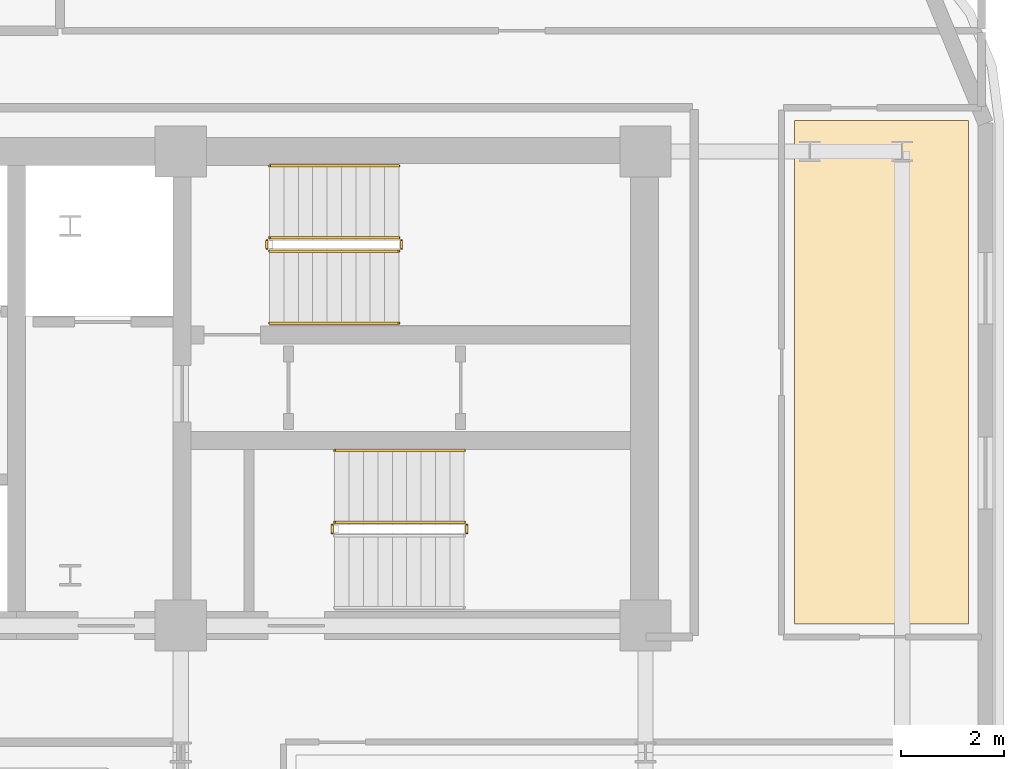
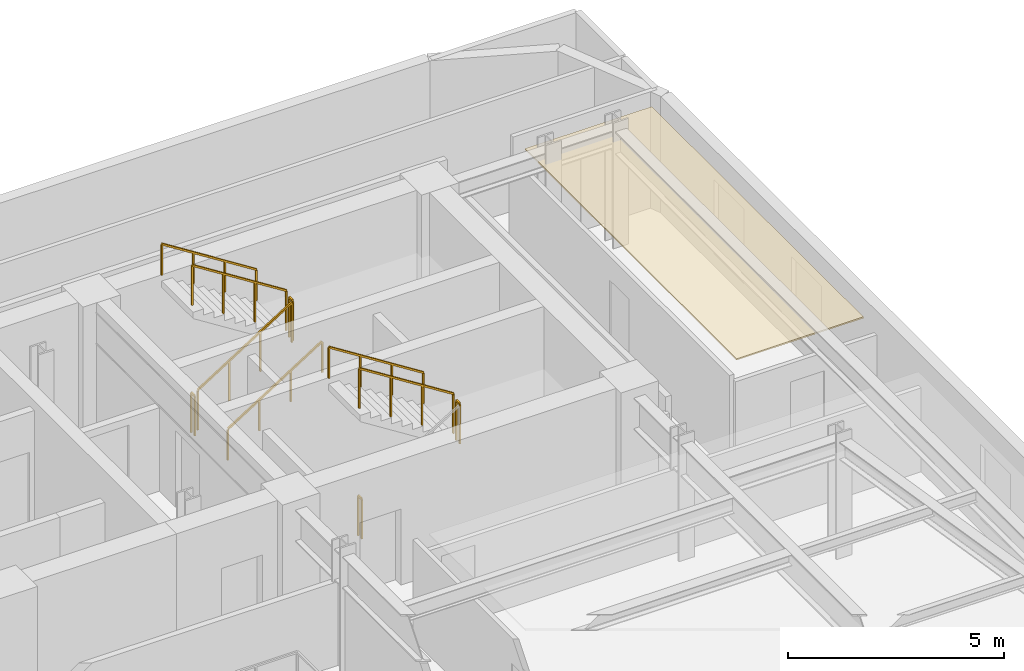
# One storey, part 13 of 13: 10 railings, 1 covering.
"""IFC4 building model written with IfcOpenShell, lengths in metres."""

from ifc_helpers import new_model, si_unit, direction, frame, origin, origin_2d, place, context, subcontext, project, spatial, polyline, rectangle, outline, extrude, material, layer, layer_set, type_object, element, save


model = new_model("IFC4")

# Units and contexts
model_context = context("Model", 3, precision=1e-05, world=origin(), true_north=direction((0.0, 1.0)))
body_context = subcontext(model_context, "Body", "Model", "MODEL_VIEW")
ifc_project = project(units=[si_unit("LENGTHUNIT", "METRE"), si_unit("AREAUNIT", "SQUARE_METRE"), si_unit("VOLUMEUNIT", "CUBIC_METRE"), si_unit("PLANEANGLEUNIT", "RADIAN"), si_unit("MASSUNIT", "GRAM", prefix="KILO")], contexts=[model_context])

# Site, building, storey
site_placement = place(None, origin())
site = spatial("IfcSite", under=ifc_project, at=site_placement, CompositionType="ELEMENT")
building_placement = place(site_placement, origin())
building = spatial("IfcBuilding", under=site, at=building_placement, Name="Zarnavel Station Tower", CompositionType="ELEMENT")
storey_placement = place(building_placement, frame((0.0, 0.0, 180.300048828125)))
storey = spatial("IfcBuildingStorey", under=building, at=storey_placement, Name="L49", CompositionType="ELEMENT", Elevation=180.300048828125)

# Covering
ifc_material_1 = material(Name="Perforated Gypsum and Mineral-Wool Acoustic Ceiling", Category="concrete")
ifc_layer = layer(ifc_material_1, 0.0400390625)
ifc_layer_set = layer_set([ifc_layer], Name="COV_CEIL_ACOUSTIC")
covering_type = type_object("IfcCoveringType", Name="COV_CEIL_ACOUSTIC", PredefinedType="CEILING", material=ifc_layer_set)
covering_placement = place(storey_placement, frame((0.0, 0.0, 2.969970703125)))
element("IfcCovering", 1, at=covering_placement, inside=storey, type_object=covering_type, Name="L49 FNE Acoustic Ceiling", PredefinedType="CEILING", context=body_context, shape_type="SweptSolid", body=[
    extrude(outline(polyline([(48.300048828125, 27.85009765625), (51.68994140625, 27.85009765625), (51.68994140625, 37.64990234375), (48.300048828125, 37.64990234375), (48.300048828125, 27.85009765625)])), origin(), (0.0, 0.0, 1.0), 0.0400390625),
])

# Railings
ifc_material_2 = material(Name="Painted Steel S355J2 Balustrade", Category="steel")
railing_type_1 = type_object("IfcRailingType", Name="GR_INT_1150", PredefinedType="GUARDRAIL", material=ifc_material_2)
railing_1_placement = place(storey_placement, frame((38.080078125, 35.110107421875, 0.177490234375)))
element("IfcRailing", 2, at=railing_1_placement, inside=storey, type_object=railing_type_1, Name="L49 ST2 stair guard 1", PredefinedType="GUARDRAIL", context=body_context, shape_type="SweptSolid", body=[
    extrude(rectangle(XDim=0.048095703125, YDim=0.048095703125, at=origin_2d()), frame((0.001708984375, 0.0, 1.126953125), z_axis=(0.84460694969, 0.0, 0.535386869969), x_axis=(0.0, 1.0, 0.0)), (0.0, 0.0, 1.0), 2.979736328125),
    extrude(rectangle(XDim=0.0419921875, YDim=0.0419921875, at=origin_2d()), origin(), (0.0, 0.0, 1.0), 1.101806640625),
    extrude(rectangle(XDim=0.0419921875, YDim=0.0419921875, at=origin_2d()), frame((0.840087890625, 0.0, 0.532470703125)), (0.0, 0.0, 1.0), 1.101806640625),
    extrude(rectangle(XDim=0.0419921875, YDim=0.0419921875, at=origin_2d()), frame((1.679931640625, 0.0, 1.06494140625)), (0.0, 0.0, 1.0), 1.101806640625),
    extrude(rectangle(XDim=0.0419921875, YDim=0.0419921875, at=origin_2d()), frame((2.52001953125, 0.0, 1.597412109375)), (0.0, 0.0, 1.0), 1.101806640625),
])
railing_2_placement = place(storey_placement, frame((40.64990234375, 35.159912109375, 1.77490234375)))
element("IfcRailing", 3, at=railing_2_placement, inside=storey, type_object=railing_type_1, Name="L49 ST2 stair guard 2", PredefinedType="GUARDRAIL", context=body_context, shape_type="SweptSolid", body=[
    extrude(rectangle(XDim=0.048095703125, YDim=0.048095703125, at=origin_2d()), frame((0.0, 0.001953125, 1.1259765625), z_axis=(0.0, 1.0, 0.0), x_axis=(-1.0, 0.0, 0.0)), (0.0, 0.0, 1.0), 0.15625),
    extrude(rectangle(XDim=0.0419921875, YDim=0.0419921875, at=origin_2d()), origin(), (0.0, 0.0, 1.0), 1.101806640625),
    extrude(rectangle(XDim=0.0419921875, YDim=0.0419921875, at=origin_2d()), frame((0.0, 0.16015625, 0.0)), (0.0, 0.0, 1.0), 1.101806640625),
])
railing_3_placement = place(storey_placement, frame((40.60009765625, 35.3701171875, 1.952392578125)))
element("IfcRailing", 4, at=railing_3_placement, inside=storey, type_object=railing_type_1, Name="L49 ST2 stair guard 3", PredefinedType="GUARDRAIL", context=body_context, shape_type="SweptSolid", body=[
    extrude(rectangle(XDim=0.048095703125, YDim=0.048095703125, at=origin_2d()), frame((-0.001708984375, 0.0, 1.126953125), z_axis=(-0.84456994832, 0.0, 0.535445237532), x_axis=(0.0, -1.0, 0.0)), (0.0, 0.0, 1.0), 2.979736328125),
    extrude(rectangle(XDim=0.0419921875, YDim=0.0419921875, at=origin_2d()), origin(), (0.0, 0.0, 1.0), 1.101806640625),
    extrude(rectangle(XDim=0.0419921875, YDim=0.0419921875, at=origin_2d()), frame((-0.840087890625, 0.0, 0.532470703125)), (0.0, 0.0, 1.0), 1.101806640625),
    extrude(rectangle(XDim=0.0419921875, YDim=0.0419921875, at=origin_2d()), frame((-1.679931640625, 0.0, 1.065185546875)), (0.0, 0.0, 1.0), 1.101806640625),
    extrude(rectangle(XDim=0.0419921875, YDim=0.0419921875, at=origin_2d()), frame((-2.52001953125, 0.0, 1.59765625)), (0.0, 0.0, 1.0), 1.101806640625),
])
railing_4_placement = place(storey_placement, frame((38.030029296875, 35.159912109375, 0.0)))
element("IfcRailing", 5, at=railing_4_placement, inside=storey, type_object=railing_type_1, Name="L49 ST2 stair guard 4", PredefinedType="GUARDRAIL", context=body_context, shape_type="SweptSolid", body=[
    extrude(rectangle(XDim=0.048095703125, YDim=0.048095703125, at=origin_2d()), frame((0.0, 0.001953125, 1.1259765625), z_axis=(0.0, 1.0, 0.0), x_axis=(-1.0, 0.0, 0.0)), (0.0, 0.0, 1.0), 0.15625),
    extrude(rectangle(XDim=0.0419921875, YDim=0.0419921875, at=origin_2d()), origin(), (0.0, 0.0, 1.0), 1.101806640625),
    extrude(rectangle(XDim=0.0419921875, YDim=0.0419921875, at=origin_2d()), frame((0.0, 0.16015625, 0.0)), (0.0, 0.0, 1.0), 1.101806640625),
])
railing_5_placement = place(storey_placement, frame((41.919921875, 29.6201171875, 1.77490234375)))
element("IfcRailing", 6, at=railing_5_placement, inside=storey, type_object=railing_type_1, Name="L49 ST3 stair guard 2", PredefinedType="GUARDRAIL", context=body_context, shape_type="SweptSolid", body=[
    extrude(rectangle(XDim=0.048095703125, YDim=0.048095703125, at=origin_2d()), frame((0.0, 0.001953125, 1.1259765625), z_axis=(0.0, 1.0, 0.0), x_axis=(-1.0, 0.0, 0.0)), (0.0, 0.0, 1.0), 0.156005859375),
    extrude(rectangle(XDim=0.0419921875, YDim=0.0419921875, at=origin_2d()), origin(), (0.0, 0.0, 1.0), 1.101806640625),
    extrude(rectangle(XDim=0.0419921875, YDim=0.0419921875, at=origin_2d()), frame((0.0, 0.159912109375, 0.0)), (0.0, 0.0, 1.0), 1.101806640625),
])
railing_6_placement = place(storey_placement, frame((41.8701171875, 29.830078125, 1.952392578125)))
element("IfcRailing", 7, at=railing_6_placement, inside=storey, type_object=railing_type_1, Name="L49 ST3 stair guard 3", PredefinedType="GUARDRAIL", context=body_context, shape_type="SweptSolid", body=[
    extrude(rectangle(XDim=0.048095703125, YDim=0.048095703125, at=origin_2d()), frame((-0.001708984375, 0.0, 1.126953125), z_axis=(-0.84456994832, 0.0, 0.535445237532), x_axis=(0.0, -1.0, 0.0)), (0.0, 0.0, 1.0), 2.979736328125),
    extrude(rectangle(XDim=0.0419921875, YDim=0.0419921875, at=origin_2d()), origin(), (0.0, 0.0, 1.0), 1.101806640625),
    extrude(rectangle(XDim=0.0419921875, YDim=0.0419921875, at=origin_2d()), frame((-0.840087890625, 0.0, 0.532470703125)), (0.0, 0.0, 1.0), 1.101806640625),
    extrude(rectangle(XDim=0.0419921875, YDim=0.0419921875, at=origin_2d()), frame((-1.679931640625, 0.0, 1.065185546875)), (0.0, 0.0, 1.0), 1.101806640625),
    extrude(rectangle(XDim=0.0419921875, YDim=0.0419921875, at=origin_2d()), frame((-2.52001953125, 0.0, 1.59765625)), (0.0, 0.0, 1.0), 1.101806640625),
])
railing_7_placement = place(storey_placement, frame((39.300048828125, 29.6201171875, 0.0)))
element("IfcRailing", 8, at=railing_7_placement, inside=storey, type_object=railing_type_1, Name="L49 ST3 stair guard 4", PredefinedType="GUARDRAIL", context=body_context, shape_type="SweptSolid", body=[
    extrude(rectangle(XDim=0.048095703125, YDim=0.048095703125, at=origin_2d()), frame((0.0, 0.001953125, 1.1259765625), z_axis=(0.0, 1.0, 0.0), x_axis=(-1.0, 0.0, 0.0)), (0.0, 0.0, 1.0), 0.156005859375),
    extrude(rectangle(XDim=0.0419921875, YDim=0.0419921875, at=origin_2d()), origin(), (0.0, 0.0, 1.0), 1.101806640625),
    extrude(rectangle(XDim=0.0419921875, YDim=0.0419921875, at=origin_2d()), frame((0.0, 0.159912109375, 0.0)), (0.0, 0.0, 1.0), 1.101806640625),
])
ifc_material_3 = material(Name="Brushed Stainless Steel S355J2 Handrail", Category="steel")
railing_type_2 = type_object("IfcRailingType", Name="HR_STAIR_900", PredefinedType="HANDRAIL", material=ifc_material_3)
railing_8_placement = place(storey_placement, frame((38.080078125, 33.7099609375, 0.177490234375)))
element("IfcRailing", 9, at=railing_8_placement, inside=storey, type_object=railing_type_2, Name="L49 ST2 stair handrail 1", PredefinedType="HANDRAIL", context=body_context, shape_type="SweptSolid", body=[
    extrude(rectangle(XDim=0.048095703125, YDim=0.048095703125, at=origin_2d()), frame((0.001708984375, 0.0, 0.876953125), z_axis=(0.84460694969, 0.0, 0.535386869969), x_axis=(0.0, 1.0, 0.0)), (0.0, 0.0, 1.0), 2.979736328125),
    extrude(rectangle(XDim=0.0419921875, YDim=0.0419921875, at=origin_2d()), origin(), (0.0, 0.0, 1.0), 0.851806640625),
    extrude(rectangle(XDim=0.0419921875, YDim=0.0419921875, at=origin_2d()), frame((0.840087890625, 0.0, 0.532470703125)), (0.0, 0.0, 1.0), 0.851806640625),
    extrude(rectangle(XDim=0.0419921875, YDim=0.0419921875, at=origin_2d()), frame((1.679931640625, 0.0, 1.06494140625)), (0.0, 0.0, 1.0), 0.851806640625),
    extrude(rectangle(XDim=0.0419921875, YDim=0.0419921875, at=origin_2d()), frame((2.52001953125, 0.0, 1.597412109375)), (0.0, 0.0, 1.0), 0.851806640625),
])
for number, where, name in (
    (10, (40.60009765625, 36.77001953125, 1.952392578125), "L49 ST2 stair handrail 2"),
    (11, (41.8701171875, 31.22998046875, 1.952392578125), "L49 ST3 stair handrail 2"),
):
    element("IfcRailing", number, at=place(storey_placement, frame(where)), inside=storey, type_object=railing_type_2, Name=name, PredefinedType="HANDRAIL", context=body_context, shape_type="SweptSolid", body=[
        extrude(rectangle(XDim=0.048095703125, YDim=0.048095703125, at=origin_2d()), frame((-0.001708984375, 0.0, 0.876953125), z_axis=(-0.84456994832, 0.0, 0.535445237532), x_axis=(0.0, -1.0, 0.0)), (0.0, 0.0, 1.0), 2.979736328125),
        extrude(rectangle(XDim=0.0419921875, YDim=0.0419921875, at=origin_2d()), origin(), (0.0, 0.0, 1.0), 0.851806640625),
        extrude(rectangle(XDim=0.0419921875, YDim=0.0419921875, at=origin_2d()), frame((-0.840087890625, 0.0, 0.532470703125)), (0.0, 0.0, 1.0), 0.851806640625),
        extrude(rectangle(XDim=0.0419921875, YDim=0.0419921875, at=origin_2d()), frame((-1.679931640625, 0.0, 1.065185546875)), (0.0, 0.0, 1.0), 0.851806640625),
        extrude(rectangle(XDim=0.0419921875, YDim=0.0419921875, at=origin_2d()), frame((-2.52001953125, 0.0, 1.59765625)), (0.0, 0.0, 1.0), 0.851806640625),
    ])

save(model, "model.ifc")
